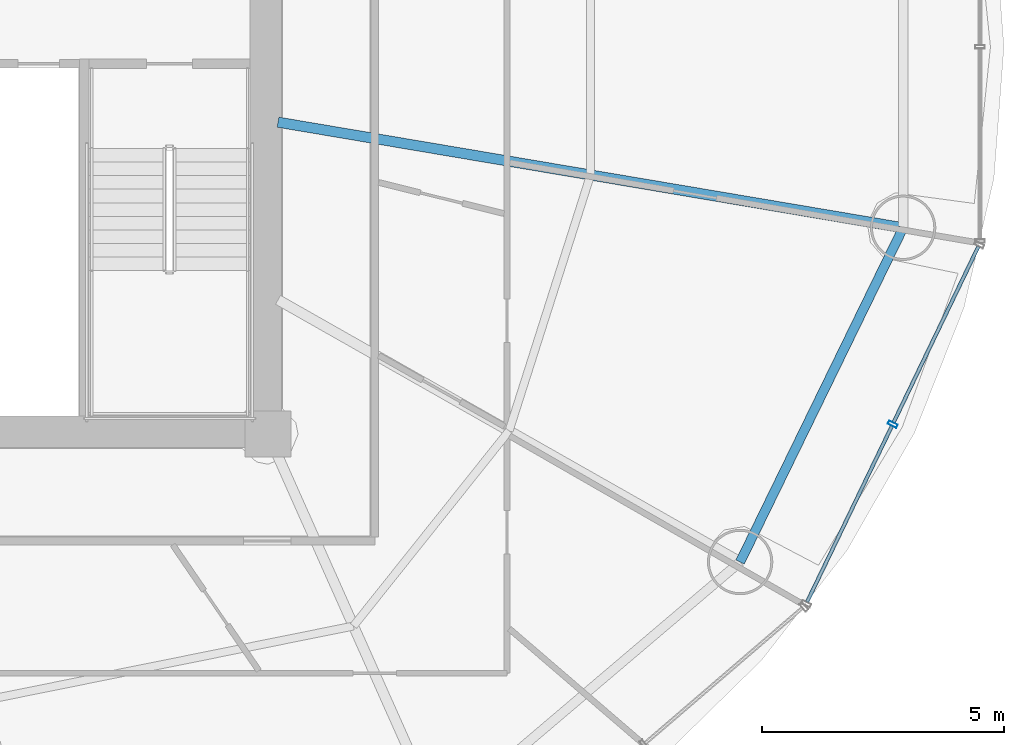
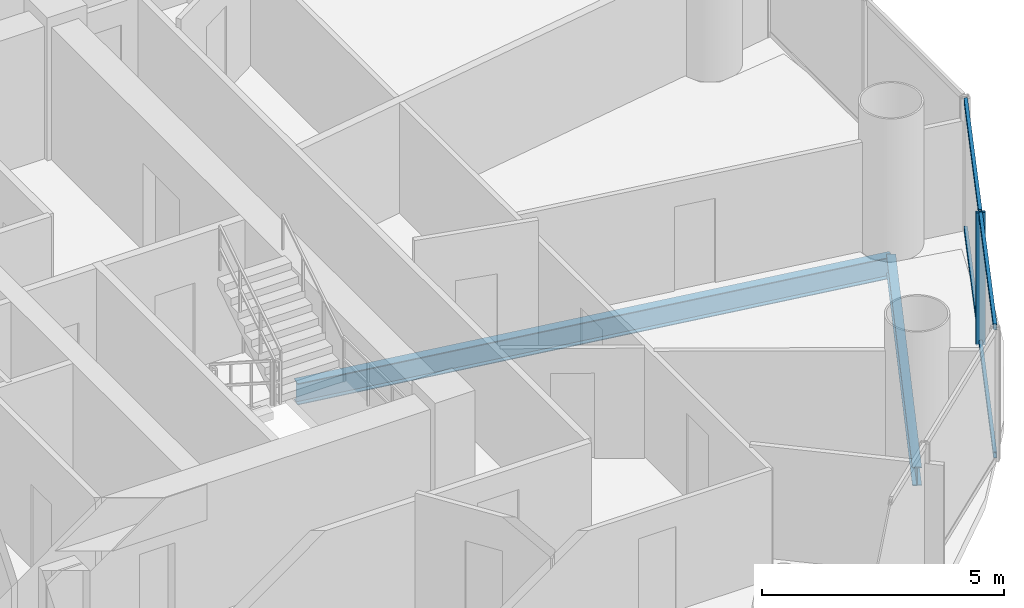
# One storey, part 11 of 26: 5 members, 2 beams, 1 element without a shape of its own.
"""IFC4 building model written with IfcOpenShell, lengths in metres."""

from ifc_helpers import new_model, si_unit, direction, frame, origin, origin_2d, place, context, subcontext, project, spatial, hollow_rectangle, i_section, extrude, source, transform, mapped, material, material_profile, profile_set, type_object, element, aggregate, save


model = new_model("IFC4")

# Units and contexts
model_context = context("Model", 3, precision=1e-05, world=origin(), true_north=direction((-0.2419218956, 0.970295726276)))
body_context = subcontext(model_context, "Body", "Model", "MODEL_VIEW")
ifc_project = project(units=[si_unit("LENGTHUNIT", "METRE"), si_unit("AREAUNIT", "SQUARE_METRE"), si_unit("VOLUMEUNIT", "CUBIC_METRE"), si_unit("PLANEANGLEUNIT", "RADIAN"), si_unit("MASSUNIT", "GRAM", prefix="KILO")], contexts=[model_context])

# Site, building, storey
site_placement = place(None, origin())
site = spatial("IfcSite", under=ifc_project, at=site_placement, CompositionType="ELEMENT")
building_placement = place(site_placement, origin())
building = spatial("IfcBuilding", under=site, at=building_placement, Name="Cobrevalo Terracotta Tower", CompositionType="ELEMENT")
storey_placement = place(building_placement, frame((0.0, 0.0, 139.0)))
storey = spatial("IfcBuildingStorey", under=building, at=storey_placement, Name="L36", CompositionType="ELEMENT", Elevation=139.0)

# Beams
ifc_material_1 = material(Name="Steel S355", Category="steel")
ifc_material_profile_1 = material_profile(ifc_material_1, i_section(OverallWidth=0.2109375, OverallDepth=0.5390625, WebThickness=0.01171875, FlangeThickness=0.018798828125, at=origin_2d()), Name="W 530x109")
ifc_profile_set_1 = profile_set([ifc_material_profile_1], Name="Steel S355")
beam_type_1 = type_object("IfcBeamType", Name="Structural Beam W 530x109 (Steel S355)", PredefinedType="BEAM", material=ifc_profile_set_1)
beam_1_placement = place(storey_placement, frame((60.11669921875, 23.06396484375, -0.53955078125), z_axis=(-0.986029732232, 0.166569406417, 0.0), x_axis=(-0.166569406417, -0.986029732232, 0.0)))
element("IfcBeam", 1, at=beam_1_placement, inside=storey, type_object=beam_type_1, Name="L36 radial floor girder 16", PredefinedType="BEAM", context=body_context, shape_type="SweptSolid", body=[
    extrude(i_section(OverallWidth=0.2109375, OverallDepth=0.5390625, WebThickness=0.01171875, FlangeThickness=0.018798828125, at=origin_2d()), origin(), (0.0, 0.0, 1.0), 13.094482421875),
])
ifc_material_profile_2 = material_profile(ifc_material_1, i_section(OverallWidth=0.194091796875, OverallDepth=0.468994140625, WebThickness=0.011474609375, FlangeThickness=0.0205078125, at=origin_2d()), Name="W 460x106")
ifc_profile_set_2 = profile_set([ifc_material_profile_2], Name="Steel S355")
beam_type_2 = type_object("IfcBeamType", Name="Structural Spandrel W 460x106 (Steel S355)", PredefinedType="SPANDREL", material=ifc_profile_set_2)
beam_2_placement = place(storey_placement, frame((56.749755859375, 16.160888671875, -0.50439453125), z_axis=(0.438380418332, 0.898789524206, 0.0), x_axis=(-0.898789524206, 0.438380418332, 0.0)))
element("IfcBeam", 2, at=beam_2_placement, inside=storey, type_object=beam_type_2, Name="L36 perimeter ring spandrel 15", PredefinedType="SPANDREL", context=body_context, shape_type="SweptSolid", body=[
    extrude(i_section(OverallWidth=0.194091796875, OverallDepth=0.468994140625, WebThickness=0.011474609375, FlangeThickness=0.0205078125, at=origin_2d()), origin(), (0.0, 0.0, 1.0), 7.680419921875),
])

# Curtain wall, members
ifc_material_2 = material(Name="Anodized aluminium", Category="aluminium")
curtain_wall_type = type_object("IfcCurtainWallType", Name="Mid-tower high-wind unitised curtain wall CW-U2", PredefinedType="NOTDEFINED", material=ifc_material_2)
curtain_wall_placement = place(storey_placement, origin())
curtain_wall = element("IfcCurtainWall", 3, at=curtain_wall_placement, inside=storey, type_object=curtain_wall_type, Name="L36 curtain wall CW-L36-S15", PredefinedType="NOTDEFINED")
ifc_material_profile_3 = material_profile(ifc_material_2, hollow_rectangle(XDim=0.074951171875, YDim=0.199951171875, WallThickness=0.0048828125, at=origin_2d()), Name="CWM 75x200")
ifc_profile_set_3 = profile_set([ifc_material_profile_3], Name="Anodized aluminium")
member_type_1 = type_object("IfcMemberType", Name="Lower/mid tower unitised mullion 75x200", PredefinedType="MULLION", material=ifc_profile_set_3)
shared_shape_1 = source(origin(), body_context, "Body", "SweptSolid", [
    extrude(hollow_rectangle(XDim=0.074951171875, YDim=0.199951171875, WallThickness=0.0048828125, at=origin_2d()), origin(), (0.0, 0.0, 1.0), 3.330078125),
])
member_1_placement = place(storey_placement, frame((59.901123046875, 19.00439453125, 0.0), z_axis=(0.0, 0.0, 1.0), x_axis=(0.434209440271, 0.900811945957, 0.0)))
member_1 = element("IfcMember", 4, at=member_1_placement, type_object=member_type_1, Name="CW-L36-S15 vertical mullion 02", PredefinedType="MULLION", context=body_context, shape_type="MappedRepresentation", body=[
    mapped(shared_shape_1, transform((0.0, 0.0, 0.0), scale=1.0)),
])
ifc_material_profile_4 = material_profile(ifc_material_2, hollow_rectangle(XDim=0.074951171875, YDim=0.14990234375, WallThickness=0.00439453125, at=origin_2d()), Name="CWT 75x150")
ifc_profile_set_4 = profile_set([ifc_material_profile_4], Name="Anodized aluminium")
member_type_2 = type_object("IfcMemberType", Name="Tower unitised aluminium transom 75x150", PredefinedType="USERDEFINED", material=ifc_profile_set_4)
shared_shape_2 = source(origin(), body_context, "Body", "SweptSolid", [
    extrude(hollow_rectangle(XDim=0.074951171875, YDim=0.14990234375, WallThickness=0.00439453125, at=origin_2d()), origin(), (0.0, 0.0, 1.0), 4.035888671875),
])
member_2_placement = place(storey_placement, frame((58.13134765625, 15.332763671875, 0.050048828125), z_axis=(0.434221176581, 0.900806288726, 0.0), x_axis=(-0.900806288726, 0.434221176581, 0.0)))
member_2 = element("IfcMember", 5, at=member_2_placement, type_object=member_type_2, Name="CW-L36-S15 transom B01-T1", ObjectType="TRANSOM", PredefinedType="USERDEFINED", context=body_context, shape_type="MappedRepresentation", body=[
    mapped(shared_shape_2, transform((0.0, 0.0, 0.0), scale=1.0)),
])
member_3_placement = place(storey_placement, frame((58.13134765625, 15.332763671875, 3.280029296875), z_axis=(0.434221176581, 0.900806288726, 0.0), x_axis=(-0.900806288726, 0.434221176581, 0.0)))
member_3 = element("IfcMember", 6, at=member_3_placement, type_object=member_type_2, Name="CW-L36-S15 transom B01-T2", ObjectType="TRANSOM", PredefinedType="USERDEFINED", context=body_context, shape_type="MappedRepresentation", body=[
    mapped(shared_shape_2, transform((0.0, 0.0, 0.0), scale=1.0)),
])
member_4_placement = place(storey_placement, frame((59.91845703125, 19.04052734375, 0.050048828125), z_axis=(0.434221176581, 0.900806288726, 0.0), x_axis=(-0.900806288726, 0.434221176581, 0.0)))
member_4 = element("IfcMember", 7, at=member_4_placement, type_object=member_type_2, Name="CW-L36-S15 transom B02-T1", ObjectType="TRANSOM", PredefinedType="USERDEFINED", context=body_context, shape_type="MappedRepresentation", body=[
    mapped(shared_shape_2, transform((0.0, 0.0, 0.0), scale=1.0)),
])
member_5_placement = place(storey_placement, frame((59.91845703125, 19.04052734375, 3.280029296875), z_axis=(0.434221176581, 0.900806288726, 0.0), x_axis=(-0.900806288726, 0.434221176581, 0.0)))
member_5 = element("IfcMember", 8, at=member_5_placement, type_object=member_type_2, Name="CW-L36-S15 transom B02-T2", ObjectType="TRANSOM", PredefinedType="USERDEFINED", context=body_context, shape_type="MappedRepresentation", body=[
    mapped(shared_shape_2, transform((0.0, 0.0, 0.0), scale=1.0)),
])
aggregate(curtain_wall, [member_1, member_2, member_3, member_4, member_5])

save(model, "model.ifc")
